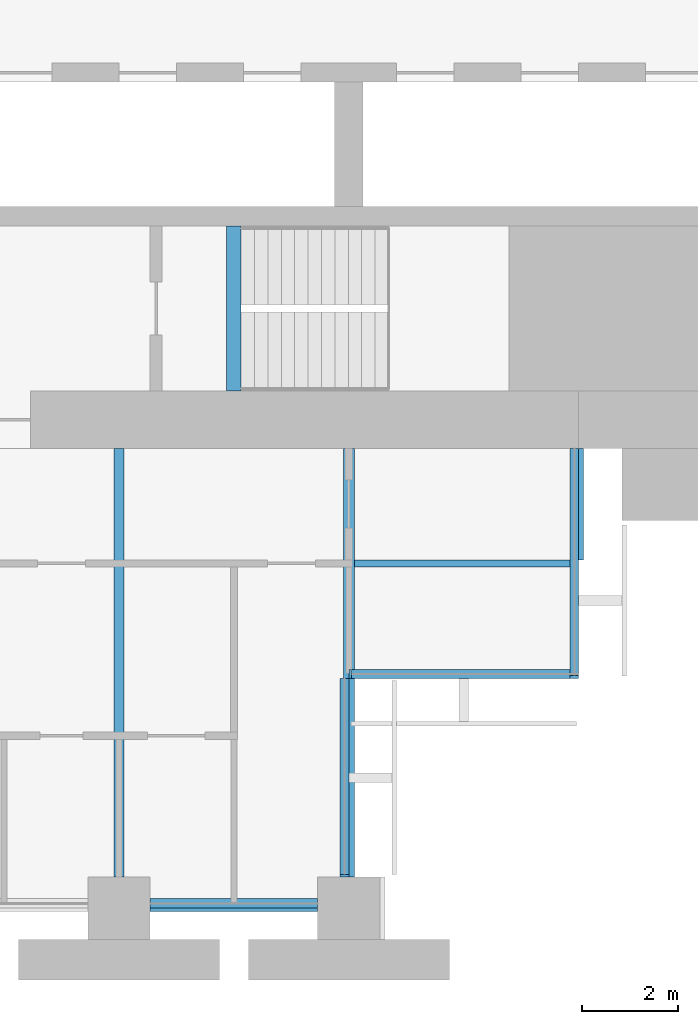
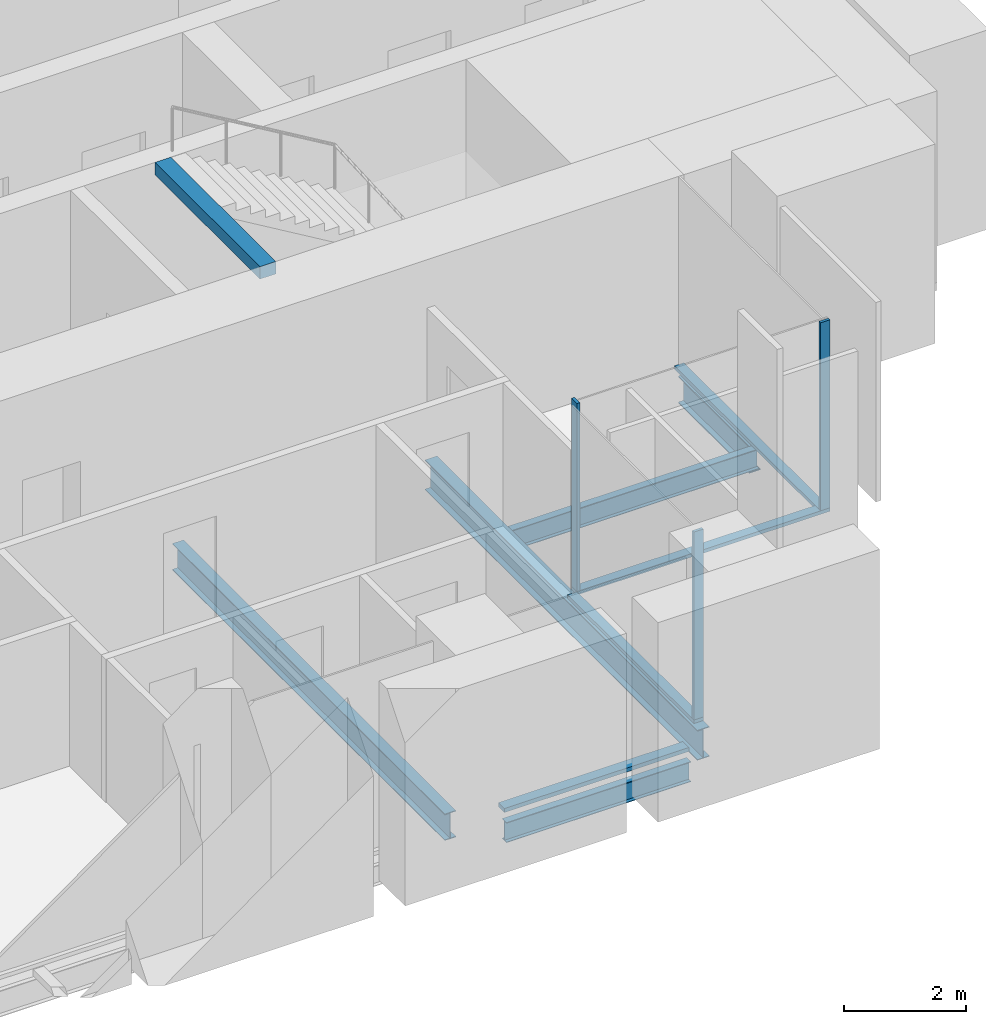
# One storey, part 4 of 14: 7 members, 6 beams, 4 elements without a shape of their own.
"""IFC4 building model written with IfcOpenShell, lengths in metres."""

from ifc_helpers import new_model, si_unit, direction, frame, origin, origin_2d, place, context, subcontext, project, spatial, rectangle, i_section, extrude, material, material_profile, profile_set, type_object, element, aggregate, save


model = new_model("IFC4")

# Units and contexts
model_context = context("Model", 3, precision=1e-05, world=origin(), true_north=direction((0.0, 1.0)))
body_context = subcontext(model_context, "Body", "Model", "MODEL_VIEW")
ifc_project = project(units=[si_unit("LENGTHUNIT", "METRE"), si_unit("AREAUNIT", "SQUARE_METRE"), si_unit("VOLUMEUNIT", "CUBIC_METRE"), si_unit("PLANEANGLEUNIT", "RADIAN"), si_unit("MASSUNIT", "GRAM", prefix="KILO")], contexts=[model_context])

# Site, building, storey
site_placement = place(None, origin())
site = spatial("IfcSite", under=ifc_project, at=site_placement, CompositionType="ELEMENT")
building_placement = place(site_placement, origin())
building = spatial("IfcBuilding", under=site, at=building_placement, Name="Baori Bourse Tower", CompositionType="ELEMENT")
storey_placement = place(building_placement, frame((0.0, 0.0, 51.0)))
storey = spatial("IfcBuildingStorey", under=building, at=storey_placement, Name="L10", CompositionType="ELEMENT", Elevation=51.0)

# Curtain wall, member
ifc_material_1 = material(Name="Pale anodised aluminium", Category="aluminium")
curtain_wall_type_1 = type_object("IfcCurtainWallType", Name="CW1 Curtain wall", PredefinedType="NOTDEFINED", material=ifc_material_1)
curtain_wall_1_placement = place(storey_placement, origin())
curtain_wall_1 = element("IfcCurtainWall", 1, at=curtain_wall_1_placement, inside=storey, type_object=curtain_wall_type_1, Name="Curtain wall CW1 L10 11", PredefinedType="NOTDEFINED")
ifc_material_2 = material(Name="Pale anodised aluminium", Category="aluminium")
ifc_material_profile_1 = material_profile(ifc_material_2, rectangle(XDim=0.199951171875, YDim=0.080078125, at=origin_2d()), Name="Transom 80x200")
ifc_profile_set_1 = profile_set([ifc_material_profile_1], Name="Pale anodised aluminium")
member_type_1 = type_object("IfcMemberType", Name="CW1 Curtain wall transom", PredefinedType="USERDEFINED", material=ifc_profile_set_1)
member_1_placement = place(storey_placement, frame((43.85009765625, 0.10009765625, 0.0400390625), z_axis=(1.0, 0.0, 0.0), x_axis=(0.0, 1.0, 0.0)))
member_1 = element("IfcMember", 2, at=member_1_placement, type_object=member_type_1, Name="Curtain wall CW1 sill rail", ObjectType="TRANSOM", PredefinedType="USERDEFINED", context=body_context, shape_type="SweptSolid", body=[
    extrude(rectangle(XDim=0.199951171875, YDim=0.080078125, at=origin_2d()), origin(), (0.0, 0.0, 1.0), 3.5),
])
aggregate(curtain_wall_1, [member_1])

ifc_material_3 = material(Name="Pale anodised aluminium", Category="aluminium")
curtain_wall_type_2 = type_object("IfcCurtainWallType", Name="CW2 Curtain wall", PredefinedType="NOTDEFINED", material=ifc_material_3)
curtain_wall_2_placement = place(storey_placement, origin())
curtain_wall_2 = element("IfcCurtainWall", 3, at=curtain_wall_2_placement, inside=storey, type_object=curtain_wall_type_2, Name="Curtain wall CW2 L10 12", PredefinedType="NOTDEFINED")
ifc_material_4 = material(Name="Pale anodised aluminium", Category="aluminium")
ifc_material_profile_2 = material_profile(ifc_material_4, rectangle(XDim=0.179931640625, YDim=0.054931640625, at=origin_2d()), Name="Mullion 55x180")
ifc_profile_set_2 = profile_set([ifc_material_profile_2], Name="Pale anodised aluminium")
member_type_2 = type_object("IfcMemberType", Name="CW2 Curtain wall mullion", PredefinedType="MULLION", material=ifc_profile_set_2)
member_2_placement = place(storey_placement, frame((47.909912109375, 0.677490234375, 0.070068359375), z_axis=(0.0, 0.0, 1.0), x_axis=(-1.0, 0.0, 0.0)))
member_2 = element("IfcMember", 4, at=member_2_placement, type_object=member_type_2, Name="Curtain wall CW2 mullion", PredefinedType="MULLION", context=body_context, shape_type="SweptSolid", body=[
    extrude(rectangle(XDim=0.179931640625, YDim=0.054931640625, at=origin_2d()), origin(), (0.0, 0.0, 1.0), 3.77001953125),
])

curtain_wall_3_placement = place(storey_placement, origin())
curtain_wall_3 = element("IfcCurtainWall", 5, at=curtain_wall_3_placement, inside=storey, type_object=curtain_wall_type_2, Name="Curtain wall CW2 L10 13", PredefinedType="NOTDEFINED")
member_3_placement = place(storey_placement, frame((48.027587890625, 4.889892578125, 0.070068359375), z_axis=(0.0, 0.0, 1.0), x_axis=(0.0, 1.0, 0.0)))
member_3 = element("IfcMember", 6, at=member_3_placement, type_object=member_type_2, Name="Curtain wall CW2 mullion", PredefinedType="MULLION", context=body_context, shape_type="SweptSolid", body=[
    extrude(rectangle(XDim=0.179931640625, YDim=0.054931640625, at=origin_2d()), origin(), (0.0, 0.0, 1.0), 3.77001953125),
])

curtain_wall_4_placement = place(storey_placement, origin())
curtain_wall_4 = element("IfcCurtainWall", 7, at=curtain_wall_4_placement, inside=storey, type_object=curtain_wall_type_2, Name="Curtain wall CW2 L10 14", PredefinedType="NOTDEFINED")
member_4_placement = place(storey_placement, frame((52.7099609375, 4.827392578125, 0.070068359375), z_axis=(0.0, 0.0, 1.0), x_axis=(-1.0, 0.0, 0.0)))
member_4 = element("IfcMember", 8, at=member_4_placement, type_object=member_type_2, Name="Curtain wall CW2 mullion", PredefinedType="MULLION", context=body_context, shape_type="SweptSolid", body=[
    extrude(rectangle(XDim=0.179931640625, YDim=0.054931640625, at=origin_2d()), origin(), (0.0, 0.0, 1.0), 3.77001953125),
])

# Member
ifc_material_5 = material(Name="Pale anodised aluminium", Category="aluminium")
ifc_material_profile_3 = material_profile(ifc_material_5, rectangle(XDim=0.179931640625, YDim=0.070068359375, at=origin_2d()), Name="Transom 70x180")
ifc_profile_set_3 = profile_set([ifc_material_profile_3], Name="Pale anodised aluminium")
member_type_3 = type_object("IfcMemberType", Name="CW2 Curtain wall transom", PredefinedType="USERDEFINED", material=ifc_profile_set_3)
member_5_placement = place(storey_placement, frame((47.909912109375, 0.64990234375, 0.034912109375), z_axis=(0.0, 1.0, 0.0), x_axis=(-1.0, 0.0, 0.0)))
member_5 = element("IfcMember", 9, at=member_5_placement, type_object=member_type_3, Name="Curtain wall CW2 sill rail", ObjectType="TRANSOM", PredefinedType="USERDEFINED", context=body_context, shape_type="SweptSolid", body=[
    extrude(rectangle(XDim=0.179931640625, YDim=0.070068359375, at=origin_2d()), origin(), (0.0, 0.0, 1.0), 4.150146484375),
])

aggregate(curtain_wall_2, [member_5, member_2])

member_6_placement = place(storey_placement, frame((48.0, 4.889892578125, 0.034912109375), z_axis=(1.0, 0.0, 0.0), x_axis=(0.0, 1.0, 0.0)))
member_6 = element("IfcMember", 10, at=member_6_placement, type_object=member_type_3, Name="Curtain wall CW2 sill rail", ObjectType="TRANSOM", PredefinedType="USERDEFINED", context=body_context, shape_type="SweptSolid", body=[
    extrude(rectangle(XDim=0.179931640625, YDim=0.070068359375, at=origin_2d()), origin(), (0.0, 0.0, 1.0), 4.800048828125),
])

aggregate(curtain_wall_3, [member_6, member_3])

member_7_placement = place(storey_placement, frame((52.7099609375, 4.800048828125, 0.034912109375), z_axis=(0.0, 1.0, 0.0), x_axis=(-1.0, 0.0, 0.0)))
member_7 = element("IfcMember", 11, at=member_7_placement, type_object=member_type_3, Name="Curtain wall CW2 sill rail", ObjectType="TRANSOM", PredefinedType="USERDEFINED", context=body_context, shape_type="SweptSolid", body=[
    extrude(rectangle(XDim=0.179931640625, YDim=0.070068359375, at=origin_2d()), origin(), (0.0, 0.0, 1.0), 4.800048828125),
])

aggregate(curtain_wall_4, [member_7, member_4])

# Beams
ifc_material_6 = material(Name="Steel A992 Gr 50", Category="steel")
ifc_material_profile_4 = material_profile(ifc_material_6, i_section(OverallWidth=0.21240234375, OverallDepth=0.54345703125, WebThickness=0.01318359375, FlangeThickness=0.021240234375, at=origin_2d()), Name="W21x83")
ifc_profile_set_4 = profile_set([ifc_material_profile_4], Name="Steel A992 Gr 50")
beam_type_1 = type_object("IfcBeamType", Name="Core bracket W21x83", PredefinedType="BEAM", material=ifc_profile_set_4)
beam_1_placement = place(storey_placement, frame((52.800048828125, 7.270263671875, -0.431884765625), z_axis=(0.0, 1.0, 0.0), x_axis=(-1.0, 0.0, 0.0)))
element("IfcBeam", 12, at=beam_1_placement, inside=storey, type_object=beam_type_1, Name="Core bracket L10", PredefinedType="BEAM", context=body_context, shape_type="SweptSolid", body=[
    extrude(i_section(OverallWidth=0.21240234375, OverallDepth=0.54345703125, WebThickness=0.01318359375, FlangeThickness=0.021240234375, at=origin_2d()), origin(), (0.0, 0.0, 1.0), 2.329833984375),
])
ifc_material_7 = material(Name="Steel A992 Gr 50", Category="steel")
ifc_material_profile_5 = material_profile(ifc_material_7, i_section(OverallWidth=0.140380859375, OverallDepth=0.40380859375, WebThickness=0.007080078125, FlangeThickness=0.01123046875, at=origin_2d()), Name="W16x31")
ifc_profile_set_5 = profile_set([ifc_material_profile_5], Name="Steel A992 Gr 50")
beam_type_2 = type_object("IfcBeamType", Name="Edge beam W16x31", PredefinedType="BEAM", material=ifc_profile_set_5)
beam_2_placement = place(storey_placement, frame((43.85009765625, 0.0, -0.36181640625), z_axis=(1.0, 0.0, 0.0), x_axis=(0.0, 1.0, 0.0)))
element("IfcBeam", 13, at=beam_2_placement, inside=storey, type_object=beam_type_2, Name="Edge beam L10", PredefinedType="BEAM", context=body_context, shape_type="SweptSolid", body=[
    extrude(i_section(OverallWidth=0.140380859375, OverallDepth=0.40380859375, WebThickness=0.007080078125, FlangeThickness=0.01123046875, at=origin_2d()), origin(), (0.0, 0.0, 1.0), 3.5),
])
ifc_material_8 = material(Name="Steel A992 Gr 50", Category="steel")
ifc_material_profile_6 = material_profile(ifc_material_8, i_section(OverallWidth=0.209228515625, OverallDepth=0.533447265625, WebThickness=0.01025390625, FlangeThickness=0.015625, at=origin_2d()), Name="W21x62")
ifc_profile_set_6 = profile_set([ifc_material_profile_6], Name="Steel A992 Gr 50")
beam_type_3 = type_object("IfcBeamType", Name="Floor beam W21x62", PredefinedType="BEAM", material=ifc_profile_set_6)
beam_3_placement = place(storey_placement, frame((43.199951171875, 0.64990234375, -0.4267578125), z_axis=(0.0, 1.0, 0.0), x_axis=(-1.0, 0.0, 0.0)))
element("IfcBeam", 14, at=beam_3_placement, inside=storey, type_object=beam_type_3, Name="Floor beam L10", PredefinedType="BEAM", context=body_context, shape_type="SweptSolid", body=[
    extrude(i_section(OverallWidth=0.209228515625, OverallDepth=0.533447265625, WebThickness=0.01025390625, FlangeThickness=0.015625, at=origin_2d()), origin(), (0.0, 0.0, 1.0), 8.9501953125),
])
ifc_material_9 = material(Name="Steel A992 Gr 50", Category="steel")
ifc_material_profile_7 = material_profile(ifc_material_9, i_section(OverallWidth=0.227783203125, OverallDepth=0.60205078125, WebThickness=0.010498046875, FlangeThickness=0.014892578125, at=origin_2d()), Name="W24x68")
ifc_profile_set_7 = profile_set([ifc_material_profile_7], Name="Steel A992 Gr 50")
beam_type_4 = type_object("IfcBeamType", Name="Floor beam W24x68", PredefinedType="BEAM", material=ifc_profile_set_7)
beam_4_placement = place(storey_placement, frame((48.0, 0.64990234375, -0.4609375), z_axis=(0.0, 1.0, 0.0), x_axis=(-1.0, 0.0, 0.0)))
element("IfcBeam", 15, at=beam_4_placement, inside=storey, type_object=beam_type_4, Name="Floor beam L10", PredefinedType="BEAM", context=body_context, shape_type="SweptSolid", body=[
    extrude(i_section(OverallWidth=0.227783203125, OverallDepth=0.60205078125, WebThickness=0.010498046875, FlangeThickness=0.014892578125, at=origin_2d()), origin(), (0.0, 0.0, 1.0), 8.9501953125),
])
ifc_material_10 = material(Name="Concrete f'c 50 MPa", Category="concrete")
ifc_material_profile_8 = material_profile(ifc_material_10, rectangle(XDim=0.300048828125, YDim=0.25, at=origin_2d()), Name="RC 300x250")
ifc_profile_set_8 = profile_set([ifc_material_profile_8], Name="Concrete f'c 50 MPa")
beam_type_5 = type_object("IfcBeamType", Name="Stair nib beam RC 300x250", PredefinedType="BEAM", material=ifc_profile_set_8)
beam_5_placement = place(storey_placement, frame((45.60009765625, 10.800048828125, 3.715087890625), z_axis=(0.0, 1.0, 0.0), x_axis=(-1.0, 0.0, 0.0)))
element("IfcBeam", 16, at=beam_5_placement, inside=storey, type_object=beam_type_5, Name="Stair EA nib beam L11", PredefinedType="BEAM", context=body_context, shape_type="SweptSolid", body=[
    extrude(rectangle(XDim=0.300048828125, YDim=0.25, at=origin_2d()), origin(), (0.0, 0.0, 1.0), 3.449951171875),
])
ifc_material_11 = material(Name="Steel A992 Gr 50", Category="steel")
ifc_material_profile_9 = material_profile(ifc_material_11, i_section(OverallWidth=0.140380859375, OverallDepth=0.40380859375, WebThickness=0.007080078125, FlangeThickness=0.01123046875, at=origin_2d()), Name="W16x31")
ifc_profile_set_9 = profile_set([ifc_material_profile_9], Name="Steel A992 Gr 50")
beam_type_6 = type_object("IfcBeamType", Name="Trimmer beam W16x31", PredefinedType="BEAM", material=ifc_profile_set_9)
beam_6_placement = place(storey_placement, frame((48.114013671875, 7.199951171875, -0.36181640625), z_axis=(1.0, 0.0, 0.0), x_axis=(0.0, 1.0, 0.0)))
element("IfcBeam", 17, at=beam_6_placement, inside=storey, type_object=beam_type_6, Name="Trimmer beam L10", PredefinedType="BEAM", context=body_context, shape_type="SweptSolid", body=[
    extrude(i_section(OverallWidth=0.140380859375, OverallDepth=0.40380859375, WebThickness=0.007080078125, FlangeThickness=0.01123046875, at=origin_2d()), origin(), (0.0, 0.0, 1.0), 4.68603515625),
])

save(model, "model.ifc")
